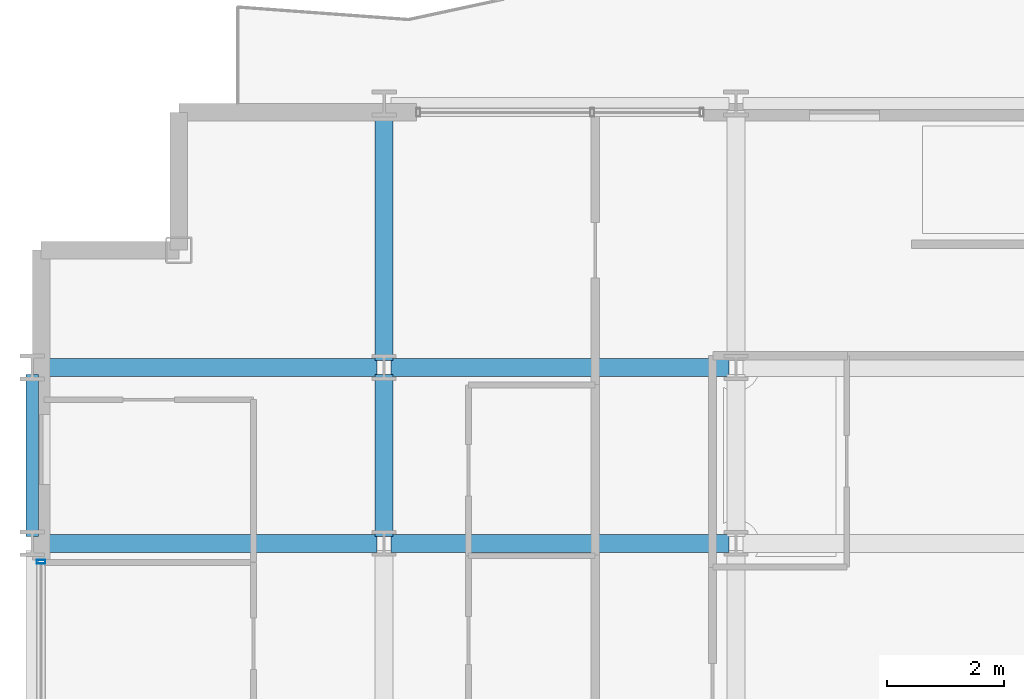
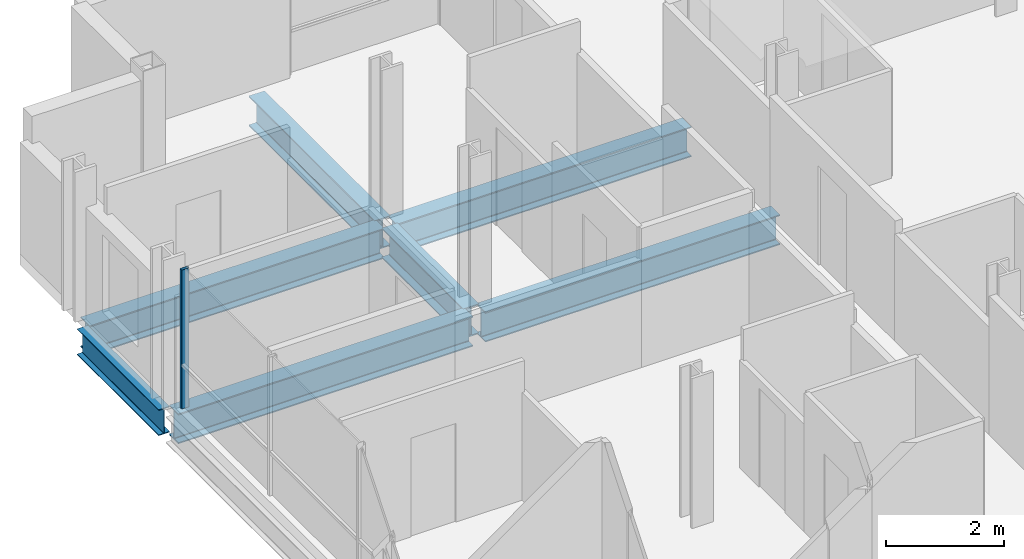
# One storey, part 7 of 40: 7 beams, 1 member, 1 element without a shape of its own.
"""IFC4 building model written with IfcOpenShell, lengths in metres."""

from ifc_helpers import new_model, si_unit, direction, frame, origin, origin_2d, place, context, subcontext, project, spatial, hollow_rectangle, i_section, extrude, material, layer, layer_set, material_profile, profile_set, type_object, element, aggregate, save


model = new_model("IFC4")

# Units and contexts
model_context = context("Model", 3, precision=1e-05, world=origin(), true_north=direction((0.0, 1.0)))
body_context = subcontext(model_context, "Body", "Model", "MODEL_VIEW")
ifc_project = project(units=[si_unit("LENGTHUNIT", "METRE"), si_unit("AREAUNIT", "SQUARE_METRE"), si_unit("VOLUMEUNIT", "CUBIC_METRE"), si_unit("PLANEANGLEUNIT", "RADIAN"), si_unit("MASSUNIT", "GRAM", prefix="KILO")], contexts=[model_context])

# Site, building, storey
site_placement = place(None, origin())
site = spatial("IfcSite", under=ifc_project, at=site_placement, CompositionType="ELEMENT")
building_placement = place(site_placement, origin())
building = spatial("IfcBuilding", under=site, at=building_placement, Name="Brevholm Reach", CompositionType="ELEMENT")
storey_placement = place(building_placement, frame((0.0, 0.0, 62.10009765625)))
storey = spatial("IfcBuildingStorey", under=building, at=storey_placement, Name="L17", CompositionType="ELEMENT", Elevation=62.10009765625)

# Beams
ifc_material_1 = material(Name="Structural Steel S355J2", Category="steel")
ifc_material_profile_1 = material_profile(ifc_material_1, i_section(OverallWidth=0.210693359375, OverallDepth=0.53955078125, WebThickness=0.01171875, FlangeThickness=0.018798828125, FilletRadius=0.0126953125, at=origin_2d()), Name="UKB 533x210x109")
ifc_profile_set_1 = profile_set([ifc_material_profile_1], Name="Structural Steel S355J2")
beam_type_1 = type_object("IfcBeamType", Name="BM-SP539", PredefinedType="SPANDREL", material=ifc_profile_set_1)
beam_1_placement = place(storey_placement, frame((0.0, 23.6201171875, -0.499755859375), z_axis=(0.0, 1.0, 0.0), x_axis=(-1.0, 0.0, 0.0)))
element("IfcBeam", 1, at=beam_1_placement, inside=storey, type_object=beam_type_1, Name="L17 SP-01B Framing Beam", PredefinedType="SPANDREL", context=body_context, shape_type="SweptSolid", body=[
    extrude(i_section(OverallWidth=0.210693359375, OverallDepth=0.53955078125, WebThickness=0.01171875, FlangeThickness=0.018798828125, FilletRadius=0.0126953125, at=origin_2d()), origin(), (0.0, 0.0, 1.0), 2.759765625),
])
ifc_material_2 = material(Name="Structural Steel S355J2", Category="steel")
ifc_material_profile_2 = material_profile(ifc_material_2, i_section(OverallWidth=0.30712890625, OverallDepth=0.6201171875, WebThickness=0.01416015625, FlangeThickness=0.023681640625, FilletRadius=0.0166015625, at=origin_2d()), Name="UKB 610x305x179")
ifc_profile_set_2 = profile_set([ifc_material_profile_2], Name="Structural Steel S355J2")
beam_type_2 = type_object("IfcBeamType", Name="BM-UKB610H", PredefinedType="USERDEFINED", material=ifc_profile_set_2)
for number, where, z_axis, x_axis, name in (
    (2, (0.1201171875, 23.5, -0.540283203125), (1.0, 0.0, 0.0), (0.0, 1.0, 0.0), "L17 G-06 Framing Beam"),
    (3, (6.1201171875, 23.5, -0.540283203125), (1.0, 0.0, 0.0), (0.0, 1.0, 0.0), "L17 G-06 Framing Beam"),
    (4, (0.1201171875, 26.5, -0.540283203125), (1.0, 0.0, 0.0), (0.0, 1.0, 0.0), "L17 G-06 Framing Beam"),
    (5, (6.1201171875, 26.5, -0.540283203125), (1.0, 0.0, 0.0), (0.0, 1.0, 0.0), "L17 G-06 Framing Beam"),
):
    element("IfcBeam", number, at=place(storey_placement, frame(where, z_axis=z_axis, x_axis=x_axis)), inside=storey, type_object=beam_type_2, Name=name, ObjectType="GIRDER", PredefinedType="USERDEFINED", context=body_context, shape_type="SweptSolid", body=[
        extrude(i_section(OverallWidth=0.30712890625, OverallDepth=0.6201171875, WebThickness=0.01416015625, FlangeThickness=0.023681640625, FilletRadius=0.0166015625, at=origin_2d()), origin(), (0.0, 0.0, 1.0), 5.759765625),
    ])
beam_2_placement = place(storey_placement, frame((6.0, 23.6201171875, -0.540283203125), z_axis=(0.0, 1.0, 0.0), x_axis=(-1.0, 0.0, 0.0)))
element("IfcBeam", 6, at=beam_2_placement, inside=storey, type_object=beam_type_2, Name="L17 G-06 Framing Beam", ObjectType="GIRDER", PredefinedType="USERDEFINED", context=body_context, shape_type="SweptSolid", body=[
    extrude(i_section(OverallWidth=0.30712890625, OverallDepth=0.6201171875, WebThickness=0.01416015625, FlangeThickness=0.023681640625, FilletRadius=0.0166015625, at=origin_2d()), origin(), (0.0, 0.0, 1.0), 2.759765625),
])
beam_3_placement = place(storey_placement, frame((6.0, 26.6201171875, -0.540283203125), z_axis=(0.0, 1.0, 0.0), x_axis=(-1.0, 0.0, 0.0)))
element("IfcBeam", 7, at=beam_3_placement, inside=storey, type_object=beam_type_2, Name="L17 G-06 Framing Beam", ObjectType="GIRDER", PredefinedType="USERDEFINED", context=body_context, shape_type="SweptSolid", body=[
    extrude(i_section(OverallWidth=0.30712890625, OverallDepth=0.6201171875, WebThickness=0.01416015625, FlangeThickness=0.023681640625, FilletRadius=0.0166015625, at=origin_2d()), origin(), (0.0, 0.0, 1.0), 4.259765625),
])

# Curtain wall, member
ifc_material_3 = material(Name="Dark Anodised Aluminium 6063-T6 and Solar-Control Glass", Category="aluminium")
ifc_layer = layer(ifc_material_3, 0.14990234375)
ifc_layer_set = layer_set([ifc_layer], Name="Dark Anodised Aluminium 6063-T6 and Solar-Control Glass")
curtain_wall_type = type_object("IfcCurtainWallType", Name="CW-01", PredefinedType="NOTDEFINED", material=ifc_layer_set)
curtain_wall_placement = place(storey_placement, origin())
curtain_wall = element("IfcCurtainWall", 8, at=curtain_wall_placement, inside=storey, type_object=curtain_wall_type, Name="L17 Curtain Wall CW-01", PredefinedType="NOTDEFINED")
ifc_material_4 = material(Name="Dark Anodised Aluminium 6063-T6", Category="aluminium")
ifc_material_profile_3 = material_profile(ifc_material_4, hollow_rectangle(XDim=0.06494140625, YDim=0.14990234375, WallThickness=0.0048828125, InnerFilletRadius=0.0048828125, OuterFilletRadius=0.010009765625, at=origin_2d()), Name="RHS 150x65x5")
ifc_profile_set_3 = profile_set([ifc_material_profile_3], Name="Dark Anodised Aluminium 6063-T6")
member_type = type_object("IfcMemberType", Name="CWM-150", PredefinedType="MULLION", material=ifc_profile_set_3)
member_placement = place(storey_placement, frame((0.14990234375, 23.1875, 0.0), z_axis=(0.0, 0.0, 1.0), x_axis=(0.0, -1.0, 0.0)))
member = element("IfcMember", 9, at=member_placement, type_object=member_type, Name="CM-150 Mullion 1", PredefinedType="MULLION", context=body_context, shape_type="SweptSolid", body=[
    extrude(hollow_rectangle(XDim=0.06494140625, YDim=0.14990234375, WallThickness=0.0048828125, InnerFilletRadius=0.0048828125, OuterFilletRadius=0.010009765625, at=origin_2d()), origin(), (0.0, 0.0, 1.0), 2.869873046875),
])
aggregate(curtain_wall, [member])

save(model, "model.ifc")
